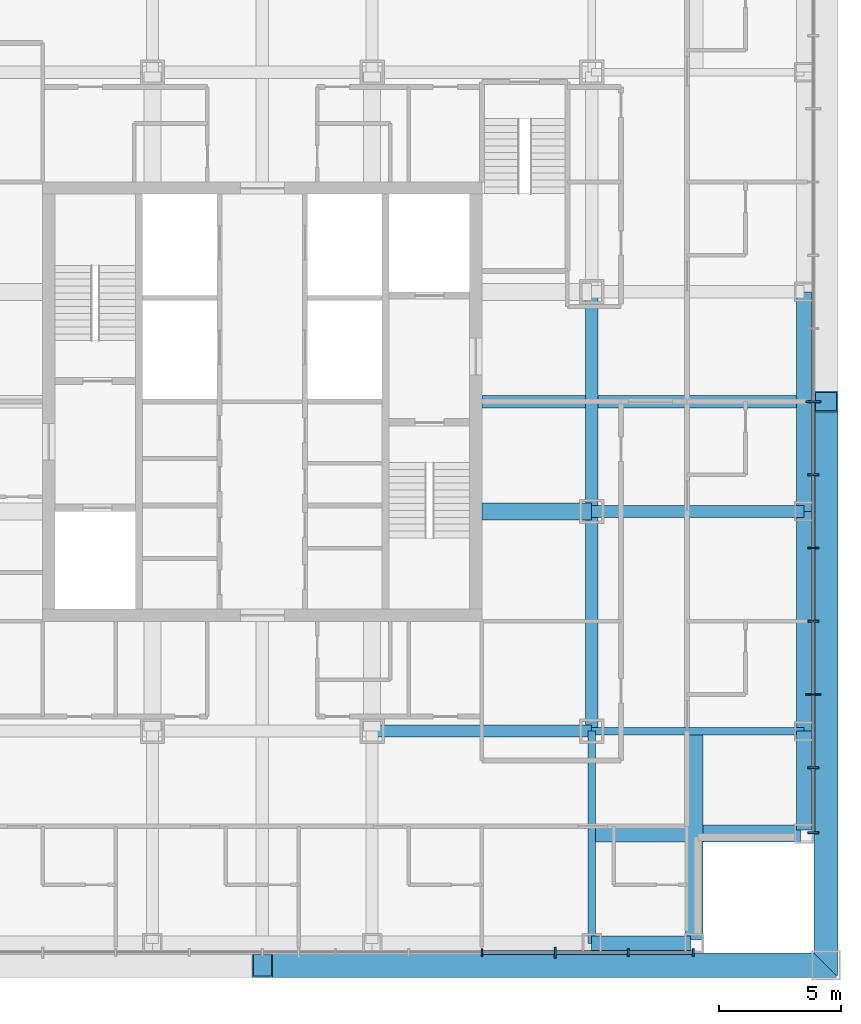
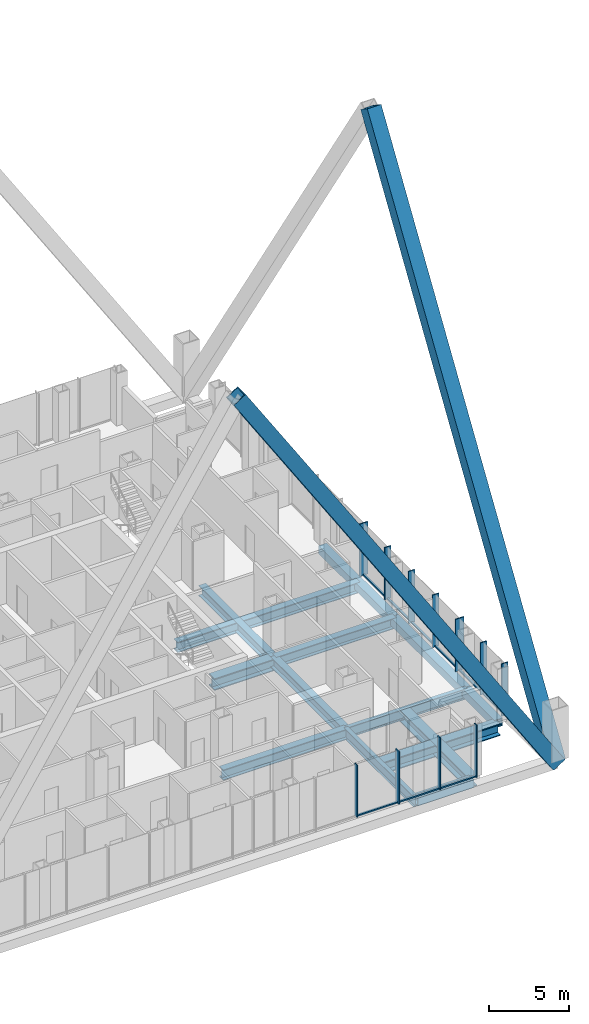
# One storey, part 5 of 16: 22 members, 14 beams, 2 elements without a shape of their own.
"""IFC4 building model written with IfcOpenShell, lengths in metres."""

from ifc_helpers import new_model, si_unit, direction, frame, origin, origin_2d, place, context, subcontext, project, spatial, rectangle, hollow_rectangle, i_section, extrude, material, layer, layer_set, material_profile, profile_set, type_object, element, aggregate, save


model = new_model("IFC4")

# Units and contexts
model_context = context("Model", 3, precision=1e-05, world=origin(), true_north=direction((0.0, 1.0)))
body_context = subcontext(model_context, "Body", "Model", "MODEL_VIEW")
ifc_project = project(units=[si_unit("LENGTHUNIT", "METRE"), si_unit("AREAUNIT", "SQUARE_METRE"), si_unit("VOLUMEUNIT", "CUBIC_METRE"), si_unit("PLANEANGLEUNIT", "RADIAN"), si_unit("MASSUNIT", "GRAM", prefix="KILO")], contexts=[model_context])

# Site, building, storey
site_placement = place(None, origin())
site = spatial("IfcSite", under=ifc_project, at=site_placement, CompositionType="ELEMENT")
building_placement = place(site_placement, origin())
building = spatial("IfcBuilding", under=site, at=building_placement, Name="Malebo Sky Hospital", CompositionType="ELEMENT")
storey_placement = place(building_placement, frame((0.0, 0.0, 209.0)))
storey = spatial("IfcBuildingStorey", under=building, at=storey_placement, Name="L50", CompositionType="ELEMENT", Elevation=209.0)

# Curtain wall, members
ifc_material_1 = material(Name="Anodised aluminium, natural silver", Category="aluminium")
ifc_layer_1 = layer(ifc_material_1, 0.25)
ifc_layer_set_1 = layer_set([ifc_layer_1], Name="WARD CURTAIN WALL NORTH AND SOUTH")
curtain_wall_type_1 = type_object("IfcCurtainWallType", Name="WARD CURTAIN WALL NORTH AND SOUTH", PredefinedType="NOTDEFINED", material=ifc_layer_set_1)
curtain_wall_1_placement = place(storey_placement, origin())
curtain_wall_1 = element("IfcCurtainWall", 1, at=curtain_wall_1_placement, inside=storey, type_object=curtain_wall_type_1, Name="NS curtain wall S", PredefinedType="NOTDEFINED")
ifc_material_profile_1 = material_profile(ifc_material_1, rectangle(XDim=0.14990234375, YDim=0.10009765625, at=origin_2d()), Name="ALUMINIUM TRANSOM 150x100")
ifc_profile_set_1 = profile_set([ifc_material_profile_1], Name="Anodised aluminium, natural silver")
member_type_1 = type_object("IfcMemberType", Name="ALUMINIUM TRANSOM 150x100", PredefinedType="USERDEFINED", material=ifc_profile_set_1)
member_1_placement = place(storey_placement, frame((77.625, 39.425048828125, 0.050048828125), z_axis=(-1.0, 0.0, 0.0), x_axis=(0.0, -1.0, 0.0)))
member_1 = element("IfcMember", 2, at=member_1_placement, type_object=member_type_1, Name="Transom 1", ObjectType="TRANSOM", PredefinedType="USERDEFINED", context=body_context, shape_type="SweptSolid", body=[
    extrude(rectangle(XDim=0.14990234375, YDim=0.10009765625, at=origin_2d()), origin(), (0.0, 0.0, 1.0), 2.58740234375),
])
member_2_placement = place(storey_placement, frame((74.96240234375, 39.425048828125, 0.050048828125), z_axis=(-1.0, 0.0, 0.0), x_axis=(0.0, -1.0, 0.0)))
member_2 = element("IfcMember", 3, at=member_2_placement, type_object=member_type_1, Name="Transom 2", ObjectType="TRANSOM", PredefinedType="USERDEFINED", context=body_context, shape_type="SweptSolid", body=[
    extrude(rectangle(XDim=0.14990234375, YDim=0.10009765625, at=origin_2d()), origin(), (0.0, 0.0, 1.0), 2.9248046875),
])
member_3_placement = place(storey_placement, frame((71.96240234375, 39.425048828125, 0.050048828125), z_axis=(-1.0, 0.0, 0.0), x_axis=(0.0, -1.0, 0.0)))
member_3 = element("IfcMember", 4, at=member_3_placement, type_object=member_type_1, Name="Transom 3", ObjectType="TRANSOM", PredefinedType="USERDEFINED", context=body_context, shape_type="SweptSolid", body=[
    extrude(rectangle(XDim=0.14990234375, YDim=0.10009765625, at=origin_2d()), origin(), (0.0, 0.0, 1.0), 2.9248046875),
])

ifc_layer_2 = layer(ifc_material_1, 0.25)
ifc_layer_set_2 = layer_set([ifc_layer_2], Name="WARD CURTAIN WALL EAST AND WEST")
curtain_wall_type_2 = type_object("IfcCurtainWallType", Name="WARD CURTAIN WALL EAST AND WEST", PredefinedType="NOTDEFINED", material=ifc_layer_set_2)
curtain_wall_2_placement = place(storey_placement, origin())
curtain_wall_2 = element("IfcCurtainWall", 5, at=curtain_wall_2_placement, inside=storey, type_object=curtain_wall_type_2, Name="EW curtain wall E", PredefinedType="NOTDEFINED")
member_4_placement = place(storey_placement, frame((82.574951171875, 61.96240234375, 0.050048828125), z_axis=(0.0, -1.0, 0.0), x_axis=(1.0, 0.0, 0.0)))
member_4 = element("IfcMember", 6, at=member_4_placement, type_object=member_type_1, Name="Transom 7", ObjectType="TRANSOM", PredefinedType="USERDEFINED", context=body_context, shape_type="SweptSolid", body=[
    extrude(rectangle(XDim=0.14990234375, YDim=0.10009765625, at=origin_2d()), origin(), (0.0, 0.0, 1.0), 2.9248046875),
])
member_5_placement = place(storey_placement, frame((82.574951171875, 58.96240234375, 0.050048828125), z_axis=(0.0, -1.0, 0.0), x_axis=(1.0, 0.0, 0.0)))
member_5 = element("IfcMember", 7, at=member_5_placement, type_object=member_type_1, Name="Transom 8", ObjectType="TRANSOM", PredefinedType="USERDEFINED", context=body_context, shape_type="SweptSolid", body=[
    extrude(rectangle(XDim=0.14990234375, YDim=0.10009765625, at=origin_2d()), origin(), (0.0, 0.0, 1.0), 2.9248046875),
])
member_6_placement = place(storey_placement, frame((82.574951171875, 55.96240234375, 0.050048828125), z_axis=(0.0, -1.0, 0.0), x_axis=(1.0, 0.0, 0.0)))
member_6 = element("IfcMember", 8, at=member_6_placement, type_object=member_type_1, Name="Transom 9", ObjectType="TRANSOM", PredefinedType="USERDEFINED", context=body_context, shape_type="SweptSolid", body=[
    extrude(rectangle(XDim=0.14990234375, YDim=0.10009765625, at=origin_2d()), origin(), (0.0, 0.0, 1.0), 2.9248046875),
])
member_7_placement = place(storey_placement, frame((82.574951171875, 52.96240234375, 0.050048828125), z_axis=(0.0, -1.0, 0.0), x_axis=(1.0, 0.0, 0.0)))
member_7 = element("IfcMember", 9, at=member_7_placement, type_object=member_type_1, Name="Transom 10", ObjectType="TRANSOM", PredefinedType="USERDEFINED", context=body_context, shape_type="SweptSolid", body=[
    extrude(rectangle(XDim=0.14990234375, YDim=0.10009765625, at=origin_2d()), origin(), (0.0, 0.0, 1.0), 2.9248046875),
])
member_8_placement = place(storey_placement, frame((82.574951171875, 49.96240234375, 0.050048828125), z_axis=(0.0, -1.0, 0.0), x_axis=(1.0, 0.0, 0.0)))
member_8 = element("IfcMember", 10, at=member_8_placement, type_object=member_type_1, Name="Transom 11", ObjectType="TRANSOM", PredefinedType="USERDEFINED", context=body_context, shape_type="SweptSolid", body=[
    extrude(rectangle(XDim=0.14990234375, YDim=0.10009765625, at=origin_2d()), origin(), (0.0, 0.0, 1.0), 2.9248046875),
])
member_9_placement = place(storey_placement, frame((82.574951171875, 46.96240234375, 0.050048828125), z_axis=(0.0, -1.0, 0.0), x_axis=(1.0, 0.0, 0.0)))
member_9 = element("IfcMember", 11, at=member_9_placement, type_object=member_type_1, Name="Transom 12", ObjectType="TRANSOM", PredefinedType="USERDEFINED", context=body_context, shape_type="SweptSolid", body=[
    extrude(rectangle(XDim=0.14990234375, YDim=0.10009765625, at=origin_2d()), origin(), (0.0, 0.0, 1.0), 2.58740234375),
])

# Member
ifc_material_profile_2 = material_profile(ifc_material_1, rectangle(XDim=0.074951171875, YDim=0.300048828125, at=origin_2d()), Name="CW1 ALUMINIUM FIN MULLION 75x300")
ifc_profile_set_2 = profile_set([ifc_material_profile_2], Name="Anodised aluminium, natural silver")
member_type_2 = type_object("IfcMemberType", Name="CW1 ALUMINIUM FIN MULLION 75x300", PredefinedType="MULLION", material=ifc_profile_set_2)
member_10_placement = place(storey_placement, frame((77.66259765625, 39.425048828125, 0.0), z_axis=(0.0, 0.0, 1.0), x_axis=(-1.0, 0.0, 0.0)))
member_10 = element("IfcMember", 12, at=member_10_placement, type_object=member_type_2, Name="Fin mullion 1", PredefinedType="MULLION", context=body_context, shape_type="SweptSolid", body=[
    extrude(rectangle(XDim=0.074951171875, YDim=0.300048828125, at=origin_2d()), origin(), (0.0, 0.0, 1.0), 4.0),
])

member_11_placement = place(storey_placement, frame((75.0, 39.425048828125, 0.0), z_axis=(0.0, 0.0, 1.0), x_axis=(-1.0, 0.0, 0.0)))
member_11 = element("IfcMember", 13, at=member_11_placement, type_object=member_type_2, Name="Fin mullion 2", PredefinedType="MULLION", context=body_context, shape_type="SweptSolid", body=[
    extrude(rectangle(XDim=0.074951171875, YDim=0.300048828125, at=origin_2d()), origin(), (0.0, 0.0, 1.0), 4.0),
])

member_12_placement = place(storey_placement, frame((69.0, 39.425048828125, 0.0), z_axis=(0.0, 0.0, 1.0), x_axis=(-1.0, 0.0, 0.0)))
member_12 = element("IfcMember", 14, at=member_12_placement, type_object=member_type_2, Name="Fin mullion 4", PredefinedType="MULLION", context=body_context, shape_type="SweptSolid", body=[
    extrude(rectangle(XDim=0.074951171875, YDim=0.300048828125, at=origin_2d()), origin(), (0.0, 0.0, 1.0), 4.0),
])

ifc_material_profile_3 = material_profile(ifc_material_1, rectangle(XDim=0.074951171875, YDim=0.449951171875, at=origin_2d()), Name="CW1 ALUMINIUM FIN MULLION 75x450")
ifc_profile_set_3 = profile_set([ifc_material_profile_3], Name="Anodised aluminium, natural silver")
member_type_3 = type_object("IfcMemberType", Name="CW1 ALUMINIUM FIN MULLION 75x450", PredefinedType="MULLION", material=ifc_profile_set_3)
member_13_placement = place(storey_placement, frame((72.0, 39.425048828125, 0.0), z_axis=(0.0, 0.0, 1.0), x_axis=(-1.0, 0.0, 0.0)))
member_13 = element("IfcMember", 15, at=member_13_placement, type_object=member_type_3, Name="Fin mullion 3", PredefinedType="MULLION", context=body_context, shape_type="SweptSolid", body=[
    extrude(rectangle(XDim=0.074951171875, YDim=0.449951171875, at=origin_2d()), origin(), (0.0, 0.0, 1.0), 4.0),
])

aggregate(curtain_wall_1, [member_10, member_11, member_13, member_12, member_1, member_2, member_3])

ifc_material_profile_4 = material_profile(ifc_material_1, rectangle(XDim=0.074951171875, YDim=0.449951171875, at=origin_2d()), Name="CW2 ALUMINIUM FIN MULLION 75x450")
ifc_profile_set_4 = profile_set([ifc_material_profile_4], Name="Anodised aluminium, natural silver")
member_type_4 = type_object("IfcMemberType", Name="CW2 ALUMINIUM FIN MULLION 75x450", PredefinedType="MULLION", material=ifc_profile_set_4)
member_14_placement = place(storey_placement, frame((82.574951171875, 59.0, 0.0), z_axis=(0.0, 0.0, 1.0), x_axis=(0.0, -1.0, 0.0)))
member_14 = element("IfcMember", 16, at=member_14_placement, type_object=member_type_4, Name="Fin mullion 8", PredefinedType="MULLION", context=body_context, shape_type="SweptSolid", body=[
    extrude(rectangle(XDim=0.074951171875, YDim=0.449951171875, at=origin_2d()), origin(), (0.0, 0.0, 1.0), 4.0),
])

member_15_placement = place(storey_placement, frame((82.574951171875, 56.0, 0.0), z_axis=(0.0, 0.0, 1.0), x_axis=(0.0, -1.0, 0.0)))
member_15 = element("IfcMember", 17, at=member_15_placement, type_object=member_type_4, Name="Fin mullion 9", PredefinedType="MULLION", context=body_context, shape_type="SweptSolid", body=[
    extrude(rectangle(XDim=0.074951171875, YDim=0.449951171875, at=origin_2d()), origin(), (0.0, 0.0, 1.0), 4.0),
])

member_16_placement = place(storey_placement, frame((82.574951171875, 53.0, 0.0), z_axis=(0.0, 0.0, 1.0), x_axis=(0.0, -1.0, 0.0)))
member_16 = element("IfcMember", 18, at=member_16_placement, type_object=member_type_4, Name="Fin mullion 10", PredefinedType="MULLION", context=body_context, shape_type="SweptSolid", body=[
    extrude(rectangle(XDim=0.074951171875, YDim=0.449951171875, at=origin_2d()), origin(), (0.0, 0.0, 1.0), 4.0),
])

member_17_placement = place(storey_placement, frame((82.574951171875, 47.0, 0.0), z_axis=(0.0, 0.0, 1.0), x_axis=(0.0, -1.0, 0.0)))
member_17 = element("IfcMember", 19, at=member_17_placement, type_object=member_type_4, Name="Fin mullion 12", PredefinedType="MULLION", context=body_context, shape_type="SweptSolid", body=[
    extrude(rectangle(XDim=0.074951171875, YDim=0.449951171875, at=origin_2d()), origin(), (0.0, 0.0, 1.0), 4.0),
])

member_18_placement = place(storey_placement, frame((82.574951171875, 44.33740234375, 0.0), z_axis=(0.0, 0.0, 1.0), x_axis=(0.0, -1.0, 0.0)))
member_18 = element("IfcMember", 20, at=member_18_placement, type_object=member_type_4, Name="Fin mullion 13", PredefinedType="MULLION", context=body_context, shape_type="SweptSolid", body=[
    extrude(rectangle(XDim=0.074951171875, YDim=0.449951171875, at=origin_2d()), origin(), (0.0, 0.0, 1.0), 4.0),
])

ifc_material_profile_5 = material_profile(ifc_material_1, rectangle(XDim=0.074951171875, YDim=0.60009765625, at=origin_2d()), Name="CW2 ALUMINIUM FIN MULLION 75x600")
ifc_profile_set_5 = profile_set([ifc_material_profile_5], Name="Anodised aluminium, natural silver")
member_type_5 = type_object("IfcMemberType", Name="CW2 ALUMINIUM FIN MULLION 75x600", PredefinedType="MULLION", material=ifc_profile_set_5)
member_19_placement = place(storey_placement, frame((82.574951171875, 62.0, 0.0), z_axis=(0.0, 0.0, 1.0), x_axis=(0.0, -1.0, 0.0)))
member_19 = element("IfcMember", 21, at=member_19_placement, type_object=member_type_5, Name="Fin mullion 7", PredefinedType="MULLION", context=body_context, shape_type="SweptSolid", body=[
    extrude(rectangle(XDim=0.074951171875, YDim=0.60009765625, at=origin_2d()), origin(), (0.0, 0.0, 1.0), 4.0),
])

member_20_placement = place(storey_placement, frame((82.574951171875, 50.0, 0.0), z_axis=(0.0, 0.0, 1.0), x_axis=(0.0, -1.0, 0.0)))
member_20 = element("IfcMember", 22, at=member_20_placement, type_object=member_type_5, Name="Fin mullion 11", PredefinedType="MULLION", context=body_context, shape_type="SweptSolid", body=[
    extrude(rectangle(XDim=0.074951171875, YDim=0.60009765625, at=origin_2d()), origin(), (0.0, 0.0, 1.0), 4.0),
])

aggregate(curtain_wall_2, [member_19, member_14, member_15, member_16, member_20, member_17, member_18, member_4, member_5, member_6, member_7, member_8, member_9])

# Beams
ifc_material_2 = material(Name="Steel S460", Category="steel")
ifc_material_profile_6 = material_profile(ifc_material_2, hollow_rectangle(XDim=0.60009765625, YDim=0.60009765625, WallThickness=0.0400390625, at=origin_2d()), Name="BOX 600x600x40")
ifc_profile_set_6 = profile_set([ifc_material_profile_6], Name="Steel S460")
beam_type_1 = type_object("IfcBeamType", Name="EDGE BEAM BOX 600x600x40", PredefinedType="BEAM", material=ifc_profile_set_6)
beam_1_placement = place(storey_placement, frame((82.199951171875, 44.449951171875, -0.550048828125), z_axis=(0.0, 1.0, 0.0), x_axis=(-1.0, 0.0, 0.0)))
element("IfcBeam", 23, at=beam_1_placement, inside=storey, type_object=beam_type_1, Name="Beam 029 L50", PredefinedType="BEAM", context=body_context, shape_type="SweptSolid", body=[
    extrude(hollow_rectangle(XDim=0.60009765625, YDim=0.60009765625, WallThickness=0.0400390625, at=origin_2d()), origin(), (0.0, 0.0, 1.0), 4.050048828125),
])
for number, where, z_axis, x_axis, name in (
    (24, (82.199951171875, 48.5, -0.550048828125), (0.0, 1.0, 0.0), (-1.0, 0.0, 0.0), "Beam 030 L50"),
    (25, (82.199951171875, 57.5, -0.550048828125), (0.0, 1.0, 0.0), (-1.0, 0.0, 0.0), "Beam 031 L50"),
):
    element("IfcBeam", number, at=place(storey_placement, frame(where, z_axis=z_axis, x_axis=x_axis)), inside=storey, type_object=beam_type_1, Name=name, PredefinedType="BEAM", context=body_context, shape_type="SweptSolid", body=[
        extrude(hollow_rectangle(XDim=0.60009765625, YDim=0.60009765625, WallThickness=0.0400390625, at=origin_2d()), origin(), (0.0, 0.0, 1.0), 9.0),
    ])
beam_2_placement = place(storey_placement, frame((73.5, 39.800048828125, -0.550048828125), z_axis=(1.0, 0.0, 0.0), x_axis=(0.0, 1.0, 0.0)))
element("IfcBeam", 26, at=beam_2_placement, inside=storey, type_object=beam_type_1, Name="Beam 038 L50", PredefinedType="BEAM", context=body_context, shape_type="SweptSolid", body=[
    extrude(hollow_rectangle(XDim=0.60009765625, YDim=0.60009765625, WallThickness=0.0400390625, at=origin_2d()), origin(), (0.0, 0.0, 1.0), 4.050048828125),
])
ifc_material_3 = material(Name="Steel S355", Category="steel")
ifc_material_profile_7 = material_profile(ifc_material_3, i_section(OverallWidth=0.5, OverallDepth=0.800048828125, WebThickness=0.030029296875, FlangeThickness=0.050048828125, at=origin_2d()), Name="PG 800x500x30x50")
ifc_profile_set_7 = profile_set([ifc_material_profile_7], Name="Steel S355")
beam_type_2 = type_object("IfcBeamType", Name="FLOOR BEAM PG 800x500x30x50", PredefinedType="BEAM", material=ifc_profile_set_7)
for number, where, z_axis, x_axis, name in (
    (27, (73.5, 48.5, -0.64990234375), (0.0, 1.0, 0.0), (-1.0, 0.0, 0.0), "Beam 023 L50"),
    (28, (64.5, 48.5, -0.64990234375), (1.0, 0.0, 0.0), (0.0, 1.0, 0.0), "Beam 044 L50"),
):
    element("IfcBeam", number, at=place(storey_placement, frame(where, z_axis=z_axis, x_axis=x_axis)), inside=storey, type_object=beam_type_2, Name=name, PredefinedType="BEAM", context=body_context, shape_type="SweptSolid", body=[
        extrude(i_section(OverallWidth=0.5, OverallDepth=0.800048828125, WebThickness=0.030029296875, FlangeThickness=0.050048828125, at=origin_2d()), origin(), (0.0, 0.0, 1.0), 9.0),
    ])
beam_3_placement = place(storey_placement, frame((73.5, 57.5, -0.64990234375), z_axis=(1.0, 0.0, 0.0), x_axis=(0.0, 1.0, 0.0)))
element("IfcBeam", 29, at=beam_3_placement, inside=storey, type_object=beam_type_2, Name="Beam 049 L50", PredefinedType="BEAM", context=body_context, shape_type="SweptSolid", body=[
    extrude(i_section(OverallWidth=0.5, OverallDepth=0.800048828125, WebThickness=0.030029296875, FlangeThickness=0.050048828125, at=origin_2d()), origin(), (0.0, 0.0, 1.0), 8.699951171875),
])
beam_4_placement = place(storey_placement, frame((69.0, 62.0, -0.64990234375), z_axis=(1.0, 0.0, 0.0), x_axis=(0.0, 1.0, 0.0)))
element("IfcBeam", 30, at=beam_4_placement, inside=storey, type_object=beam_type_2, Name="Beam 051 L50", PredefinedType="BEAM", context=body_context, shape_type="SweptSolid", body=[
    extrude(i_section(OverallWidth=0.5, OverallDepth=0.800048828125, WebThickness=0.030029296875, FlangeThickness=0.050048828125, at=origin_2d()), origin(), (0.0, 0.0, 1.0), 13.199951171875),
])
ifc_material_profile_8 = material_profile(ifc_material_3, i_section(OverallWidth=0.699951171875, OverallDepth=0.89990234375, WebThickness=0.0400390625, FlangeThickness=0.070068359375, at=origin_2d()), Name="PG 900x700x40x70")
ifc_profile_set_8 = profile_set([ifc_material_profile_8], Name="Steel S355")
beam_type_3 = type_object("IfcBeamType", Name="FLOOR BEAM PG 900x700x40x70", PredefinedType="BEAM", material=ifc_profile_set_8)
for number, where, z_axis, x_axis, name in (
    (31, (77.699951171875, 39.949951171875, -0.699951171875), (0.0, 1.0, 0.0), (-1.0, 0.0, 0.0), "Beam 027 L50"),
    (32, (73.5, 44.300048828125, -0.699951171875), (1.0, 0.0, 0.0), (0.0, 1.0, 0.0), "Beam 040 L50"),
):
    element("IfcBeam", number, at=place(storey_placement, frame(where, z_axis=z_axis, x_axis=x_axis)), inside=storey, type_object=beam_type_3, Name=name, PredefinedType="BEAM", context=body_context, shape_type="SweptSolid", body=[
        extrude(i_section(OverallWidth=0.699951171875, OverallDepth=0.89990234375, WebThickness=0.0400390625, FlangeThickness=0.070068359375, at=origin_2d()), origin(), (0.0, 0.0, 1.0), 8.550048828125),
    ])
beam_5_placement = place(storey_placement, frame((69.0, 57.5, -0.699951171875), z_axis=(1.0, 0.0, 0.0), x_axis=(0.0, 1.0, 0.0)))
element("IfcBeam", 33, at=beam_5_placement, inside=storey, type_object=beam_type_3, Name="Beam 048 L50", PredefinedType="BEAM", context=body_context, shape_type="SweptSolid", body=[
    extrude(i_section(OverallWidth=0.699951171875, OverallDepth=0.89990234375, WebThickness=0.0400390625, FlangeThickness=0.070068359375, at=origin_2d()), origin(), (0.0, 0.0, 1.0), 4.5),
])
ifc_material_profile_9 = material_profile(ifc_material_3, i_section(OverallWidth=0.300048828125, OverallDepth=0.800048828125, WebThickness=0.017578125, FlangeThickness=0.032958984375, FilletRadius=0.030029296875, at=origin_2d()), Name="HEB 800")
ifc_profile_set_9 = profile_set([ifc_material_profile_9], Name="Steel S355")
beam_type_4 = type_object("IfcBeamType", Name="FLOOR GIRDER HEB 800", PredefinedType="BEAM", material=ifc_profile_set_9)
for number, where, z_axis, x_axis, name in (
    (34, (73.5, 39.800048828125, -0.64990234375), (0.0, 1.0, 0.0), (-1.0, 0.0, 0.0), "Beam 022 L50"),
    (35, (73.5, 48.5, -0.64990234375), (1.0, 0.0, 0.0), (0.0, 1.0, 0.0), "Beam 045 L50"),
):
    element("IfcBeam", number, at=place(storey_placement, frame(where, z_axis=z_axis, x_axis=x_axis)), inside=storey, type_object=beam_type_4, Name=name, PredefinedType="BEAM", context=body_context, shape_type="SweptSolid", body=[
        extrude(i_section(OverallWidth=0.300048828125, OverallDepth=0.800048828125, WebThickness=0.017578125, FlangeThickness=0.032958984375, FilletRadius=0.030029296875, at=origin_2d()), origin(), (0.0, 0.0, 1.0), 8.699951171875),
    ])

# Members
ifc_material_profile_10 = material_profile(ifc_material_2, hollow_rectangle(XDim=1.0, YDim=1.0, WallThickness=0.06005859375, at=origin_2d()), Name="BOX 1000x1000x60")
ifc_profile_set_10 = profile_set([ifc_material_profile_10], Name="Steel S460")
member_type_6 = type_object("IfcMemberType", Name="MEGA BRACE BOX 1000x1000x60", PredefinedType="BRACE", material=ifc_profile_set_10)
for number, where, z_axis, x_axis, name in (
    (36, (83.10009765625, 38.89990234375, -0.39990234375), (-0.540050058877, 0.0, 0.841632897353), (0.0, -1.0, 0.0), "Mega brace C2S2 L50-L59"),
    (37, (83.10009765625, 38.89990234375, -0.39990234375), (0.0, 0.540050058877, 0.841632897353), (-1.0, 0.0, 0.0), "Mega brace C2E1 L50-L59"),
):
    element("IfcMember", number, at=place(storey_placement, frame(where, z_axis=z_axis, x_axis=x_axis)), inside=storey, type_object=member_type_6, Name=name, PredefinedType="BRACE", context=body_context, shape_type="SweptSolid", body=[
        extrude(hollow_rectangle(XDim=1.0, YDim=1.0, WallThickness=0.06005859375, at=origin_2d()), origin(), (0.0, 0.0, 1.0), 42.77392578125),
    ])

# Beam
ifc_material_profile_11 = material_profile(ifc_material_3, i_section(OverallWidth=0.5, OverallDepth=0.800048828125, WebThickness=0.030029296875, FlangeThickness=0.050048828125, at=origin_2d()), Name="PG 800x500x30x50")
ifc_profile_set_11 = profile_set([ifc_material_profile_11], Name="Steel S355")
beam_type_5 = type_object("IfcBeamType", Name="RING GIRDER PG 800x500x30x50", PredefinedType="BEAM", material=ifc_profile_set_11)
beam_6_placement = place(storey_placement, frame((73.5, 57.5, -0.64990234375), z_axis=(0.0, 1.0, 0.0), x_axis=(-1.0, 0.0, 0.0)))
element("IfcBeam", 38, at=beam_6_placement, inside=storey, type_object=beam_type_5, Name="Beam 024 L50", PredefinedType="BEAM", context=body_context, shape_type="SweptSolid", body=[
    extrude(i_section(OverallWidth=0.5, OverallDepth=0.800048828125, WebThickness=0.030029296875, FlangeThickness=0.050048828125, at=origin_2d()), origin(), (0.0, 0.0, 1.0), 9.0),
])

save(model, "model.ifc")
